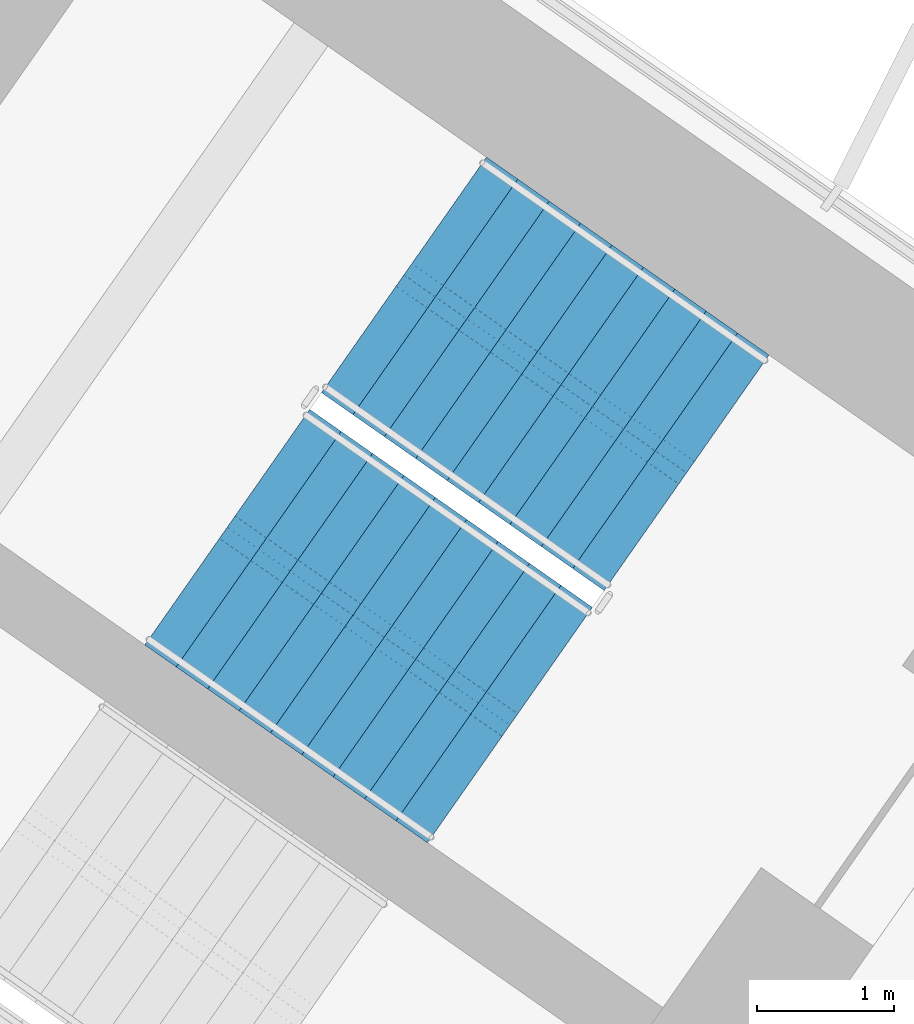
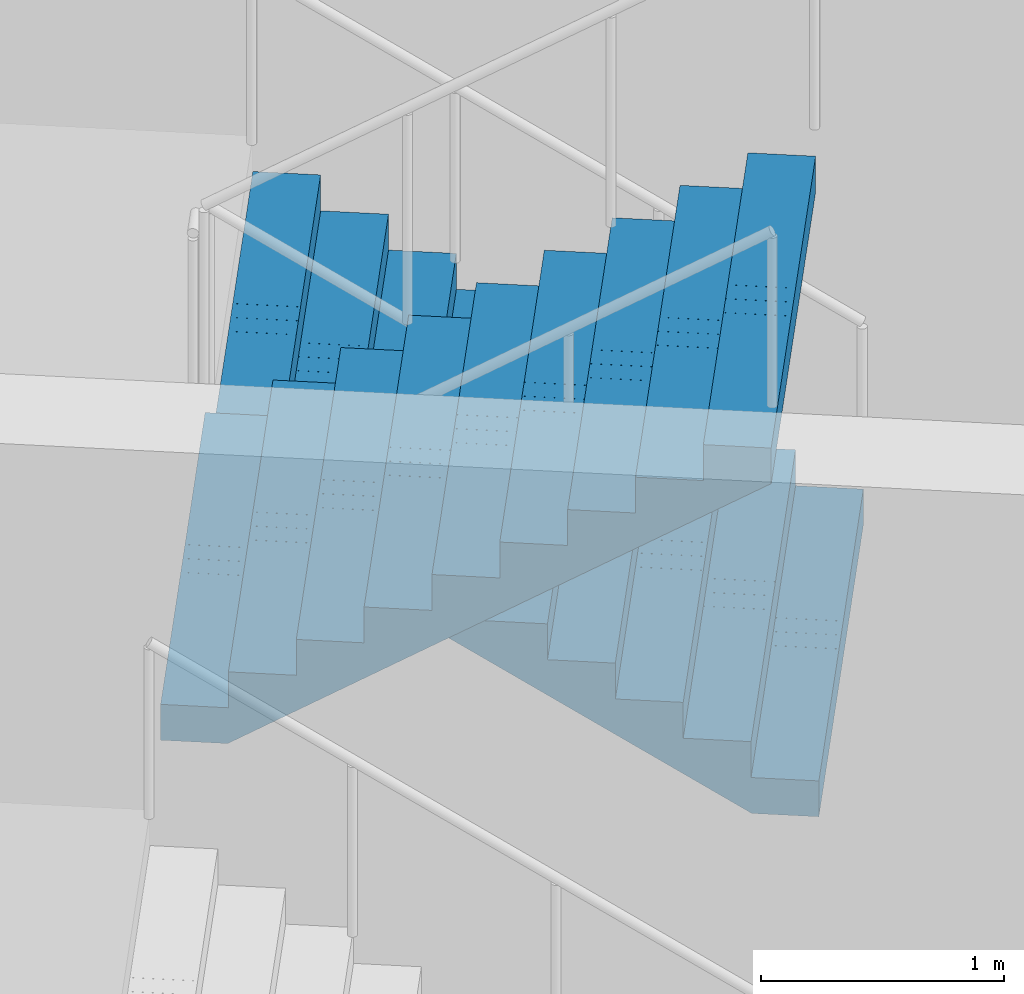
# One storey, part 17 of 23: 2 stair flights, 1 element without a shape of its own.
"""IFC4 building model written with IfcOpenShell, lengths in metres."""

from ifc_helpers import new_model, si_unit, direction, frame, origin, place, context, subcontext, project, spatial, polyline, outline, extrude, material, type_object, element, aggregate, save


model = new_model("IFC4")

# Units and contexts
model_context = context("Model", 3, precision=1e-05, world=origin(), true_north=direction((0.0, 1.0)))
body_context = subcontext(model_context, "Body", "Model", "MODEL_VIEW")
ifc_project = project(units=[si_unit("LENGTHUNIT", "METRE"), si_unit("AREAUNIT", "SQUARE_METRE"), si_unit("VOLUMEUNIT", "CUBIC_METRE"), si_unit("PLANEANGLEUNIT", "RADIAN"), si_unit("MASSUNIT", "GRAM", prefix="KILO")], contexts=[model_context])

# Site, building, storey
site_placement = place(None, origin())
site = spatial("IfcSite", under=ifc_project, at=site_placement, CompositionType="ELEMENT")
building_placement = place(site_placement, origin())
building = spatial("IfcBuilding", under=site, at=building_placement, Name="Tel Ilan Convention Tower", CompositionType="ELEMENT")
storey_placement = place(building_placement, frame((0.0, 0.0, 79.699951171875)))
storey = spatial("IfcBuildingStorey", under=building, at=storey_placement, Name="L15", CompositionType="ELEMENT", Elevation=79.699951171875)

# Stair, stair flights
ifc_material_1 = material(Name="Concrete C40/50", Category="concrete")
stair_type = type_object("IfcStairType", Name="Pressurised Exit Stair 20 risers 180 mm", PredefinedType="HALF_TURN_STAIR", material=ifc_material_1)
stair_placement = place(storey_placement, origin())
stair = element("IfcStair", 1, at=stair_placement, inside=storey, type_object=stair_type, Name="L15 Pressurised Stair S3", PredefinedType="HALF_TURN_STAIR")
ifc_material_2 = material(Name="Precast Concrete C40/50", Category="concrete")
stair_flight_type = type_object("IfcStairFlightType", Name="Concrete Stair Flight 2100 mm 20 risers 180 mm", PredefinedType="STRAIGHT", material=ifc_material_2)
stair_flight_1_placement = place(storey_placement, frame((24.25244140625, -7.032470703125, 0.0), z_axis=(0.0, 0.0, 1.0), x_axis=(-0.819152044289, 0.573576436351, 0.0)))
stair_flight_1 = element("IfcStairFlight", 2, at=stair_flight_1_placement, type_object=stair_flight_type, Name="S3 flight 1", NumberOfRisers=10, NumberOfTreads=9, PredefinedType="STRAIGHT", RiserHeight=0.18, TreadLength=0.28, context=body_context, shape_type="SweptSolid", body=[
    extrude(outline(polyline([(0.0, 0.0), (0.0, 0.179931640625), (0.280029296875, 0.179931640625), (0.280029296875, 0.360107421875), (0.56005859375, 0.360107421875), (0.56005859375, 0.5400390625), (0.840087890625, 0.5400390625), (0.840087890625, 0.719970703125), (1.1201171875, 0.719970703125), (1.1201171875, 0.89990234375), (1.39990234375, 0.89990234375), (1.39990234375, 1.080078125), (1.679931640625, 1.080078125), (1.679931640625, 1.260009765625), (1.9599609375, 1.260009765625), (1.9599609375, 1.43994140625), (2.239990234375, 1.43994140625), (2.239990234375, 1.6201171875), (2.52001953125, 1.6201171875), (2.52001953125, 1.800048828125), (2.52001953125, 1.44189453125), (0.277099609375, 0.0), (0.0, 0.0)])), frame((0.0, -0.100341796875, 0.0), z_axis=(0.0, -1.0, 0.0), x_axis=(1.0, 0.0, 0.0)), (0.0, 0.0, 1.0), 0.94970703125),
    extrude(outline(polyline([(0.0, 0.0), (0.0, 0.179931640625), (0.280029296875, 0.179931640625), (0.280029296875, 0.360107421875), (0.56005859375, 0.360107421875), (0.56005859375, 0.5400390625), (0.840087890625, 0.5400390625), (0.840087890625, 0.719970703125), (1.1201171875, 0.719970703125), (1.1201171875, 0.89990234375), (1.39990234375, 0.89990234375), (1.39990234375, 1.080078125), (1.679931640625, 1.080078125), (1.679931640625, 1.260009765625), (1.9599609375, 1.260009765625), (1.9599609375, 1.43994140625), (2.239990234375, 1.43994140625), (2.239990234375, 1.6201171875), (2.52001953125, 1.6201171875), (2.52001953125, 1.800048828125), (2.52001953125, 1.44189453125), (0.277099609375, 0.0), (0.0, 0.0)])), frame((0.0, -0.000244140625, 0.0), z_axis=(0.0, -1.0, 0.0), x_axis=(1.0, 0.0, 0.0)), (0.0, 0.0, 1.0), 0.099609375),
    extrude(outline(polyline([(0.0, 0.0), (0.0, 0.179931640625), (0.280029296875, 0.179931640625), (0.280029296875, 0.360107421875), (0.56005859375, 0.360107421875), (0.56005859375, 0.5400390625), (0.840087890625, 0.5400390625), (0.840087890625, 0.719970703125), (1.1201171875, 0.719970703125), (1.1201171875, 0.89990234375), (1.39990234375, 0.89990234375), (1.39990234375, 1.080078125), (1.679931640625, 1.080078125), (1.679931640625, 1.260009765625), (1.9599609375, 1.260009765625), (1.9599609375, 1.43994140625), (2.239990234375, 1.43994140625), (2.239990234375, 1.6201171875), (2.52001953125, 1.6201171875), (2.52001953125, 1.800048828125), (2.52001953125, 1.44189453125), (0.277099609375, 0.0), (0.0, 0.0)])), frame((0.0, 0.099853515625, 0.0), z_axis=(0.0, -1.0, 0.0), x_axis=(1.0, 0.0, 0.0)), (0.0, 0.0, 1.0), 0.099609375),
    extrude(outline(polyline([(0.0, 0.0), (0.0, 0.179931640625), (0.280029296875, 0.179931640625), (0.280029296875, 0.360107421875), (0.56005859375, 0.360107421875), (0.56005859375, 0.5400390625), (0.840087890625, 0.5400390625), (0.840087890625, 0.719970703125), (1.1201171875, 0.719970703125), (1.1201171875, 0.89990234375), (1.39990234375, 0.89990234375), (1.39990234375, 1.080078125), (1.679931640625, 1.080078125), (1.679931640625, 1.260009765625), (1.9599609375, 1.260009765625), (1.9599609375, 1.43994140625), (2.239990234375, 1.43994140625), (2.239990234375, 1.6201171875), (2.52001953125, 1.6201171875), (2.52001953125, 1.800048828125), (2.52001953125, 1.44189453125), (0.277099609375, 0.0), (0.0, 0.0)])), frame((0.0, 1.050048828125, 0.0), z_axis=(0.0, -1.0, 0.0), x_axis=(1.0, 0.0, 0.0)), (0.0, 0.0, 1.0), 0.94970703125),
])
stair_flight_2_placement = place(storey_placement, frame((20.8974609375, -7.43017578125, 1.800048828125), z_axis=(0.0, 0.0, 1.0), x_axis=(0.819152044289, -0.573576436351, 0.0)))
stair_flight_2 = element("IfcStairFlight", 3, at=stair_flight_2_placement, type_object=stair_flight_type, Name="S3 flight 2", NumberOfRisers=10, NumberOfTreads=9, PredefinedType="STRAIGHT", RiserHeight=0.18, TreadLength=0.28, context=body_context, shape_type="SweptSolid", body=[
    extrude(outline(polyline([(0.0, 0.0), (0.0, 0.179931640625), (0.280029296875, 0.179931640625), (0.280029296875, 0.360107421875), (0.56005859375, 0.360107421875), (0.56005859375, 0.5400390625), (0.840087890625, 0.5400390625), (0.840087890625, 0.719970703125), (1.1201171875, 0.719970703125), (1.1201171875, 0.89990234375), (1.39990234375, 0.89990234375), (1.39990234375, 1.080078125), (1.679931640625, 1.080078125), (1.679931640625, 1.260009765625), (1.9599609375, 1.260009765625), (1.9599609375, 1.43994140625), (2.239990234375, 1.43994140625), (2.239990234375, 1.6201171875), (2.52001953125, 1.6201171875), (2.52001953125, 1.800048828125), (2.52001953125, 1.44189453125), (0.277099609375, 0.0), (0.0, 0.0)])), frame((0.0, -0.100341796875, 0.0), z_axis=(0.0, -1.0, 0.0), x_axis=(1.0, 0.0, 0.0)), (0.0, 0.0, 1.0), 0.94970703125),
    extrude(outline(polyline([(0.0, 0.0), (0.0, 0.179931640625), (0.280029296875, 0.179931640625), (0.280029296875, 0.360107421875), (0.56005859375, 0.360107421875), (0.56005859375, 0.5400390625), (0.840087890625, 0.5400390625), (0.840087890625, 0.719970703125), (1.1201171875, 0.719970703125), (1.1201171875, 0.89990234375), (1.39990234375, 0.89990234375), (1.39990234375, 1.080078125), (1.679931640625, 1.080078125), (1.679931640625, 1.260009765625), (1.9599609375, 1.260009765625), (1.9599609375, 1.43994140625), (2.239990234375, 1.43994140625), (2.239990234375, 1.6201171875), (2.52001953125, 1.6201171875), (2.52001953125, 1.800048828125), (2.52001953125, 1.44189453125), (0.277099609375, 0.0), (0.0, 0.0)])), frame((0.0, -0.000244140625, 0.0), z_axis=(0.0, -1.0, 0.0), x_axis=(1.0, 0.0, 0.0)), (0.0, 0.0, 1.0), 0.099609375),
    extrude(outline(polyline([(0.0, 0.0), (0.0, 0.179931640625), (0.280029296875, 0.179931640625), (0.280029296875, 0.360107421875), (0.56005859375, 0.360107421875), (0.56005859375, 0.5400390625), (0.840087890625, 0.5400390625), (0.840087890625, 0.719970703125), (1.1201171875, 0.719970703125), (1.1201171875, 0.89990234375), (1.39990234375, 0.89990234375), (1.39990234375, 1.080078125), (1.679931640625, 1.080078125), (1.679931640625, 1.260009765625), (1.9599609375, 1.260009765625), (1.9599609375, 1.43994140625), (2.239990234375, 1.43994140625), (2.239990234375, 1.6201171875), (2.52001953125, 1.6201171875), (2.52001953125, 1.800048828125), (2.52001953125, 1.44189453125), (0.277099609375, 0.0), (0.0, 0.0)])), frame((0.0, 0.099853515625, 0.0), z_axis=(0.0, -1.0, 0.0), x_axis=(1.0, 0.0, 0.0)), (0.0, 0.0, 1.0), 0.099609375),
    extrude(outline(polyline([(0.0, 0.0), (0.0, 0.179931640625), (0.280029296875, 0.179931640625), (0.280029296875, 0.360107421875), (0.56005859375, 0.360107421875), (0.56005859375, 0.5400390625), (0.840087890625, 0.5400390625), (0.840087890625, 0.719970703125), (1.1201171875, 0.719970703125), (1.1201171875, 0.89990234375), (1.39990234375, 0.89990234375), (1.39990234375, 1.080078125), (1.679931640625, 1.080078125), (1.679931640625, 1.260009765625), (1.9599609375, 1.260009765625), (1.9599609375, 1.43994140625), (2.239990234375, 1.43994140625), (2.239990234375, 1.6201171875), (2.52001953125, 1.6201171875), (2.52001953125, 1.800048828125), (2.52001953125, 1.44189453125), (0.277099609375, 0.0), (0.0, 0.0)])), frame((0.0, 1.050048828125, 0.0), z_axis=(0.0, -1.0, 0.0), x_axis=(1.0, 0.0, 0.0)), (0.0, 0.0, 1.0), 0.94970703125),
])
aggregate(stair, [stair_flight_1, stair_flight_2])

save(model, "model.ifc")
